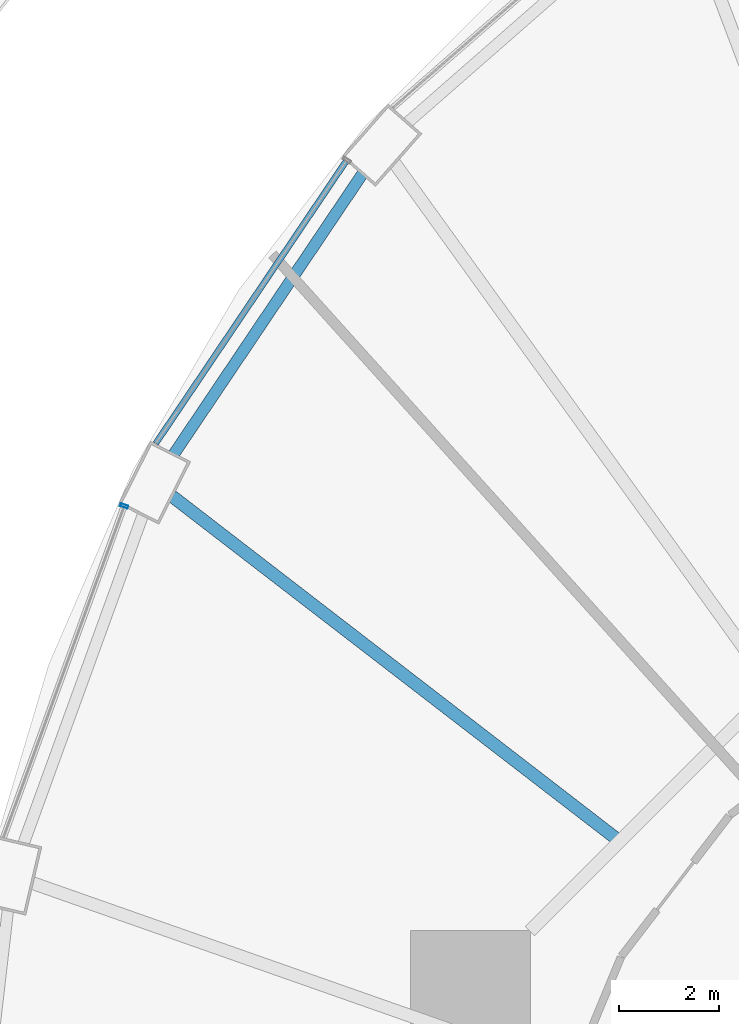
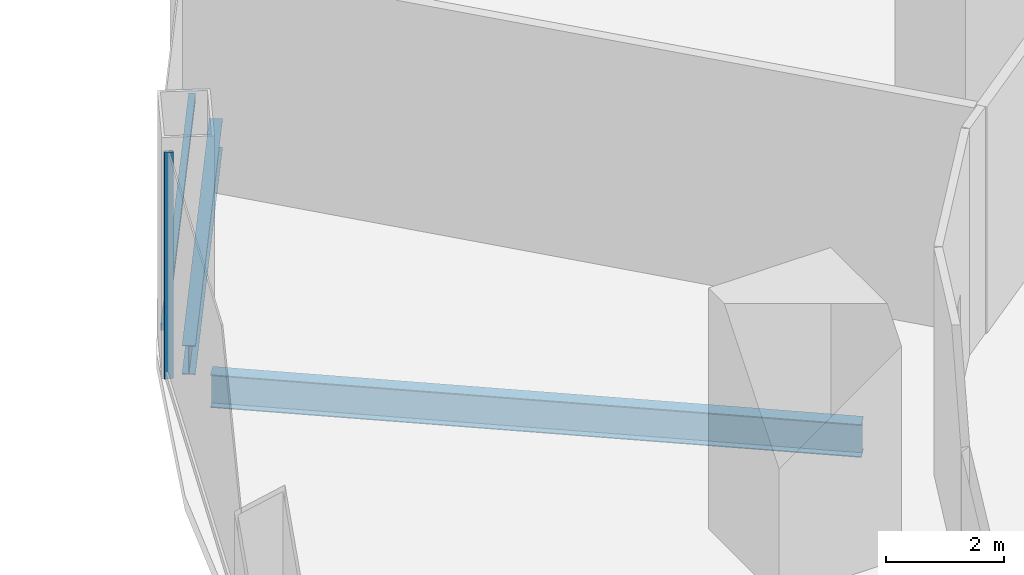
# One storey, part 21 of 48: 2 beams, 2 members, 2 elements without a shape of their own.
"""IFC4 building model written with IfcOpenShell, lengths in metres."""

from ifc_helpers import new_model, si_unit, direction, frame, origin, origin_2d, place, context, subcontext, project, spatial, hollow_rectangle, i_section, extrude, material, layer, layer_set, material_profile, profile_set, type_object, element, aggregate, save


model = new_model("IFC4")

# Units and contexts
model_context = context("Model", 3, precision=1e-05, world=origin(), true_north=direction((0.0, 1.0)))
body_context = subcontext(model_context, "Body", "Model", "MODEL_VIEW")
ifc_project = project(units=[si_unit("LENGTHUNIT", "METRE"), si_unit("AREAUNIT", "SQUARE_METRE"), si_unit("VOLUMEUNIT", "CUBIC_METRE"), si_unit("PLANEANGLEUNIT", "RADIAN"), si_unit("MASSUNIT", "GRAM", prefix="KILO")], contexts=[model_context])

# Site, building, storey
site_placement = place(None, origin())
site = spatial("IfcSite", under=ifc_project, at=site_placement, CompositionType="ELEMENT")
building_placement = place(site_placement, origin())
building = spatial("IfcBuilding", under=site, at=building_placement, Name="Nagisa Residences", CompositionType="ELEMENT")
storey_placement = place(building_placement, frame((0.0, 0.0, 12.0)))
storey = spatial("IfcBuildingStorey", under=building, at=storey_placement, Name="L02", CompositionType="ELEMENT", Elevation=12.0)

# Curtain wall, member
ifc_material_1 = material(Name="Stainless steel curtain wall system", Category="steel")
ifc_layer = layer(ifc_material_1, 0.159912109375)
ifc_layer_set = layer_set([ifc_layer], Name="CW6 CURTAIN WALL")
curtain_wall_type = type_object("IfcCurtainWallType", Name="CW6 CURTAIN WALL", PredefinedType="NOTDEFINED", material=ifc_layer_set)
curtain_wall_1_placement = place(storey_placement, origin())
curtain_wall_1 = element("IfcCurtainWall", 1, at=curtain_wall_1_placement, inside=storey, type_object=curtain_wall_type, Name="cw:CW6:L02:20", PredefinedType="NOTDEFINED")
ifc_material_2 = material(Name="Stainless steel", Category="steel")
ifc_material_profile_1 = material_profile(ifc_material_2, hollow_rectangle(XDim=0.159912109375, YDim=0.06005859375, WallThickness=0.006103515625, at=origin_2d()), Name="CW6 MULLION 160x60")
ifc_profile_set_1 = profile_set([ifc_material_profile_1], Name="Stainless steel")
member_type_1 = type_object("IfcMemberType", Name="CW6 MULLION 160x60", PredefinedType="MULLION", material=ifc_profile_set_1)
member_1_placement = place(storey_placement, frame((-21.689208984375, 15.78662109375, 0.0), z_axis=(0.0, 0.0, 1.0), x_axis=(0.939681861718, -0.342049702176, 0.0)))
member_1 = element("IfcMember", 2, at=member_1_placement, type_object=member_type_1, Name="CW6 mullion", PredefinedType="MULLION", context=body_context, shape_type="SweptSolid", body=[
    extrude(hollow_rectangle(XDim=0.159912109375, YDim=0.06005859375, WallThickness=0.006103515625, at=origin_2d()), origin(), (0.0, 0.0, 1.0), 4.699951171875),
])
aggregate(curtain_wall_1, [member_1])

curtain_wall_2_placement = place(storey_placement, origin())
curtain_wall_2 = element("IfcCurtainWall", 3, at=curtain_wall_2_placement, inside=storey, type_object=curtain_wall_type, Name="cw:CW6:L02:18", PredefinedType="NOTDEFINED")
ifc_material_3 = material(Name="Stainless steel", Category="steel")
ifc_material_profile_2 = material_profile(ifc_material_3, hollow_rectangle(XDim=0.1201171875, YDim=0.14990234375, WallThickness=0.008056640625, at=origin_2d()), Name="CW6 TRANSOM 120x150")
ifc_profile_set_2 = profile_set([ifc_material_profile_2], Name="Stainless steel")
member_type_2 = type_object("IfcMemberType", Name="CW6 TRANSOM 120x150", PredefinedType="USERDEFINED", material=ifc_profile_set_2)
member_2_placement = place(storey_placement, frame((-17.231201171875, 22.70947265625, 0.074951171875), z_axis=(-0.559080645991, -0.829113280124, 0.0), x_axis=(0.829113280124, -0.559080645991, 0.0)))
member_2 = element("IfcMember", 4, at=member_2_placement, type_object=member_type_2, Name="CW6 transom", ObjectType="TRANSOM", PredefinedType="USERDEFINED", context=body_context, shape_type="SweptSolid", body=[
    extrude(hollow_rectangle(XDim=0.1201171875, YDim=0.14990234375, WallThickness=0.008056640625, at=origin_2d()), origin(), (0.0, 0.0, 1.0), 6.84326171875),
])
aggregate(curtain_wall_2, [member_2])

# Beams
ifc_material_4 = material(Name="Steel ASTM A572 Gr 50", Category="steel")
ifc_material_profile_3 = material_profile(ifc_material_4, i_section(OverallWidth=0.22802734375, OverallDepth=0.60302734375, WebThickness=0.010498046875, FlangeThickness=0.014892578125, at=origin_2d()), Name="W610x101")
ifc_profile_set_3 = profile_set([ifc_material_profile_3], Name="Steel ASTM A572 Gr 50")
beam_type_1 = type_object("IfcBeamType", Name="Perimeter ring beam W610x101", PredefinedType="BEAM", material=ifc_profile_set_3)
beam_1_placement = place(storey_placement, frame((-16.935302734375, 22.411865234375, -0.6015625), z_axis=(-0.558296806041, -0.829641293792, 0.0), x_axis=(0.829641293792, -0.558296806041, 0.0)))
element("IfcBeam", 5, at=beam_1_placement, inside=storey, type_object=beam_type_1, Name="beam:L02:pb10", PredefinedType="BEAM", context=body_context, shape_type="SweptSolid", body=[
    extrude(i_section(OverallWidth=0.22802734375, OverallDepth=0.60302734375, WebThickness=0.010498046875, FlangeThickness=0.014892578125, at=origin_2d()), origin(), (0.0, 0.0, 1.0), 6.74169921875),
])
ifc_material_5 = material(Name="Steel ASTM A572 Gr 50", Category="steel")
ifc_material_profile_4 = material_profile(ifc_material_5, i_section(OverallWidth=0.25390625, OverallDepth=0.68408203125, WebThickness=0.012451171875, FlangeThickness=0.018798828125, at=origin_2d()), Name="W690x140")
ifc_profile_set_4 = profile_set([ifc_material_profile_4], Name="Steel ASTM A572 Gr 50")
beam_type_2 = type_object("IfcBeamType", Name="Radial beam W690x140", PredefinedType="BEAM", material=ifc_profile_set_4)
beam_2_placement = place(storey_placement, frame((-20.73486328125, 15.982666015625, -0.64208984375), z_axis=(0.792016146736, -0.610500141941, 0.0), x_axis=(0.610500141941, 0.792016146736, 0.0)))
element("IfcBeam", 6, at=beam_2_placement, inside=storey, type_object=beam_type_2, Name="beam:L02:rb11", PredefinedType="BEAM", context=body_context, shape_type="SweptSolid", body=[
    extrude(i_section(OverallWidth=0.25390625, OverallDepth=0.68408203125, WebThickness=0.012451171875, FlangeThickness=0.018798828125, at=origin_2d()), origin(), (0.0, 0.0, 1.0), 11.160888671875),
])

save(model, "model.ifc")
